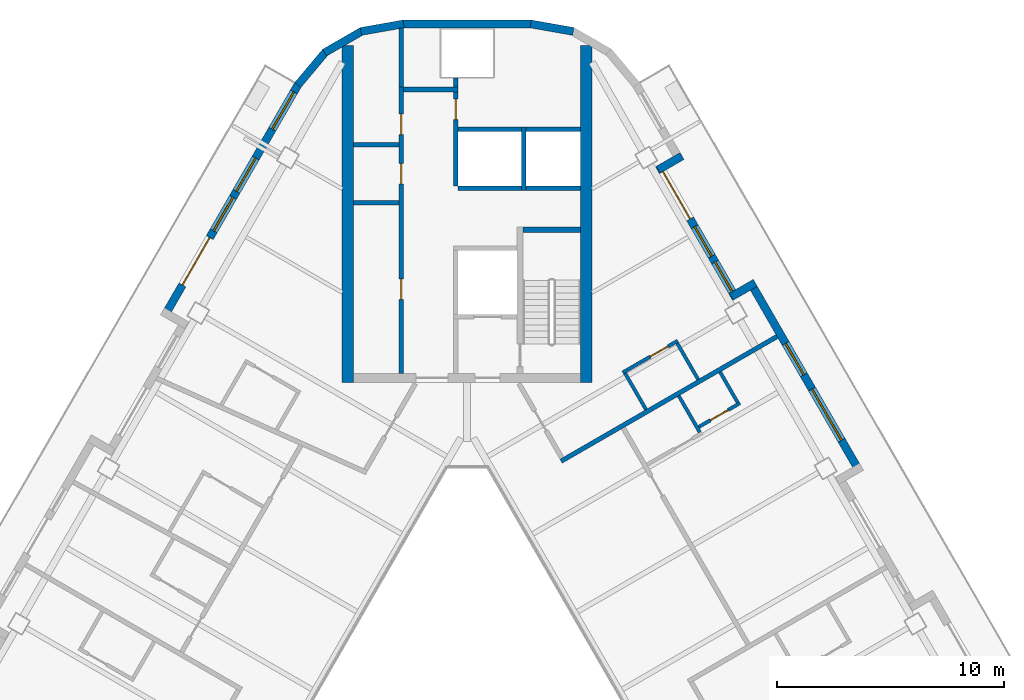
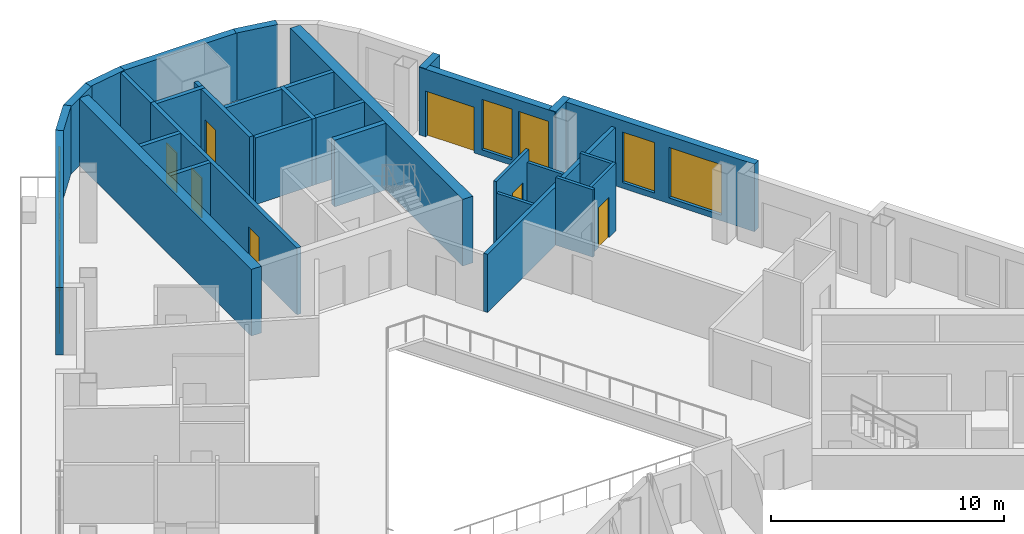
# One storey, part 7 of 14: 32 walls, 8 doors, 7 windows, 15 openings.
"""IFC4 building model written with IfcOpenShell, lengths in metres."""

from ifc_helpers import new_model, si_unit, direction, frame, frame_2d, origin, place, context, subcontext, project, spatial, rectangle, extrude, material, layer, layer_set, type_object, element, fill, save


model = new_model("IFC4")

# Units and contexts
model_context = context("Model", 3, precision=1e-05, world=origin(), true_north=direction((0.0, 1.0)))
body_context = subcontext(model_context, "Body", "Model", "MODEL_VIEW")
ifc_project = project(units=[si_unit("LENGTHUNIT", "METRE"), si_unit("AREAUNIT", "SQUARE_METRE"), si_unit("VOLUMEUNIT", "CUBIC_METRE"), si_unit("PLANEANGLEUNIT", "RADIAN"), si_unit("MASSUNIT", "GRAM", prefix="KILO")], contexts=[model_context])

# Site, building, storey
site_placement = place(None, origin())
site = spatial("IfcSite", under=ifc_project, at=site_placement, CompositionType="ELEMENT")
building_placement = place(site_placement, origin())
building = spatial("IfcBuilding", under=site, at=building_placement, Name="Apuvela Tower Hotel", CompositionType="ELEMENT")
storey_placement = place(building_placement, frame((0.0, 0.0, 220.60009765625)))
storey = spatial("IfcBuildingStorey", under=building, at=storey_placement, Name="L54", CompositionType="ELEMENT", Elevation=220.60009765625)

# Walls
ifc_material_1 = material(Name="Concrete C50/60", Category="concrete")
ifc_layer_1 = layer(ifc_material_1, 0.5)
ifc_layer_set_1 = layer_set([ifc_layer_1], Name="COR-WALL-CORE-500")
wall_type_1 = type_object("IfcWallType", Name="COR-WALL-CORE-500", PredefinedType="SHEAR", material=ifc_layer_set_1)
for number, where, z_axis, x_axis, name in (
    (1, (5.25, 12.89990234375, 0.0), (0.0, 0.0, 1.0), (0.0, 1.0, 0.0), "Core wall N"),
    (2, (-5.25, 12.89990234375, 0.0), (0.0, 0.0, 1.0), (0.0, 1.0, 0.0), "Core wall N"),
):
    element("IfcWall", number, at=place(storey_placement, frame(where, z_axis=z_axis, x_axis=x_axis)), inside=storey, type_object=wall_type_1, Name=name, PredefinedType="SHEAR", context=body_context, shape_type="SweptSolid", body=[
        extrude(rectangle(XDim=14.8369140625, YDim=0.5, at=frame_2d((7.41845703125, 0.0))), origin(), (0.0, 0.0, 1.0), 3.5),
    ])
ifc_material_2 = material(Name="Blockwork 200 mm plastered", Category="masonry")
ifc_layer_2 = layer(ifc_material_2, 0.199951171875)
ifc_layer_set_2 = layer_set([ifc_layer_2], Name="COR-WALL-PART-200")
wall_type_2 = type_object("IfcWallType", Name="COR-WALL-PART-200", PredefinedType="PARTITIONING", material=ifc_layer_set_2)
wall_1_placement = place(storey_placement, frame((5.0, 21.449951171875, 0.0), z_axis=(0.0, 0.0, 1.0), x_axis=(-1.0, 0.0, 0.0)))
element("IfcWall", 3, at=wall_1_placement, inside=storey, type_object=wall_type_2, Name="Partition N", PredefinedType="PARTITIONING", context=body_context, shape_type="SweptSolid", body=[
    extrude(rectangle(XDim=2.39990234375, YDim=0.199951171875, at=frame_2d((1.199951171875, 0.0))), origin(), (0.0, 0.0, 1.0), 3.5),
])
wall_2_placement = place(storey_placement, frame((2.39990234375, 21.449951171875, 0.0), z_axis=(0.0, 0.0, 1.0), x_axis=(-1.0, 0.0, 0.0)))
element("IfcWall", 4, at=wall_2_placement, inside=storey, type_object=wall_type_2, Name="Partition N", PredefinedType="PARTITIONING", context=body_context, shape_type="SweptSolid", body=[
    extrude(rectangle(XDim=2.7998046875, YDim=0.199951171875, at=frame_2d((1.39990234375, 0.0))), origin(), (0.0, 0.0, 1.0), 3.5),
])

# Wall, openings, doors
ifc_layer_3 = layer(ifc_material_1, 0.199951171875)
ifc_layer_set_3 = layer_set([ifc_layer_3], Name="COR-WALL-SHAFT-200")
wall_type_3 = type_object("IfcWallType", Name="COR-WALL-SHAFT-200", PredefinedType="SHEAR", material=ifc_layer_set_3)
wall_3_placement = place(storey_placement, frame((-2.89990234375, 13.300048828125, 0.0), z_axis=(0.0, 0.0, 1.0), x_axis=(0.0, 1.0, 0.0)))
wall_3 = element("IfcWall", 5, at=wall_3_placement, inside=storey, type_object=wall_type_3, Name="Shaft wall N", PredefinedType="SHEAR", context=body_context, shape_type="SweptSolid", body=[
    extrude(rectangle(XDim=12.599853515625, YDim=0.199951171875, at=frame_2d((6.2998046875, 0.0))), origin(), (0.0, 0.0, 1.0), 3.5),
])
opening_1_placement = place(wall_3_placement, frame((3.260009765625, 0.0, 0.0)))
opening_1 = element("IfcOpeningElement", 6, at=opening_1_placement, cuts=wall_3, Name="Opening N-RE1", PredefinedType="OPENING", context=body_context, shape_type="SweptSolid", body=[
    extrude(rectangle(XDim=0.89990234375, YDim=2.10009765625, at=frame_2d((0.449951171875, 1.050048828125))), frame((0.0, 0.10986328125, 0.0), z_axis=(0.0, -1.0, 0.0), x_axis=(1.0, 0.0, 0.0)), (0.0, 0.0, 1.0), 0.219970703125),
])
opening_2_placement = place(wall_3_placement, frame((8.340087890625, 0.0, 0.0)))
opening_2 = element("IfcOpeningElement", 7, at=opening_2_placement, cuts=wall_3, Name="Opening N-RE4", PredefinedType="OPENING", context=body_context, shape_type="SweptSolid", body=[
    extrude(rectangle(XDim=0.89990234375, YDim=2.10009765625, at=frame_2d((0.449951171875, 1.050048828125))), frame((0.0, 0.10986328125, 0.0), z_axis=(0.0, -1.0, 0.0), x_axis=(1.0, 0.0, 0.0)), (0.0, 0.0, 1.0), 0.219970703125),
])
opening_3_placement = place(wall_3_placement, frame((10.510009765625, 0.0, 0.0)))
opening_3 = element("IfcOpeningElement", 8, at=opening_3_placement, cuts=wall_3, Name="Opening N-REP", PredefinedType="OPENING", context=body_context, shape_type="SweptSolid", body=[
    extrude(rectangle(XDim=0.89990234375, YDim=2.10009765625, at=frame_2d((0.449951171875, 1.050048828125))), frame((0.0, 0.10986328125, 0.0), z_axis=(0.0, -1.0, 0.0), x_axis=(1.0, 0.0, 0.0)), (0.0, 0.0, 1.0), 0.219970703125),
])
ifc_material_3 = material(Name="Steel fire door, powder coated", Category="steel")
door_type_1 = type_object("IfcDoorType", Name="COR-DR-900", OperationType="NOTDEFINED", PredefinedType="DOOR", material=ifc_material_3)
door_1_placement = place(opening_1_placement, origin())
door_1 = element("IfcDoor", 9, at=door_1_placement, inside=storey, type_object=door_type_1, Name="Store door N-RE1", OperationType="SINGLE_SWING_LEFT", OverallHeight=2.10009765625, OverallWidth=0.89990234375, PredefinedType="DOOR", context=body_context, shape_type="SweptSolid", body=[
    extrude(rectangle(XDim=0.89990234375, YDim=2.10009765625, at=frame_2d((0.449951171875, 1.050048828125))), frame((0.0, 0.02490234375, 0.0), z_axis=(0.0, -1.0, 0.0), x_axis=(1.0, 0.0, 0.0)), (0.0, 0.0, 1.0), 0.050048828125),
])
fill(opening_1, door_1)
door_2_placement = place(opening_2_placement, origin())
door_2 = element("IfcDoor", 10, at=door_2_placement, inside=storey, type_object=door_type_1, Name="Store door N-RE4", OperationType="SINGLE_SWING_LEFT", OverallHeight=2.10009765625, OverallWidth=0.89990234375, PredefinedType="DOOR", context=body_context, shape_type="SweptSolid", body=[
    extrude(rectangle(XDim=0.89990234375, YDim=2.10009765625, at=frame_2d((0.449951171875, 1.050048828125))), frame((0.0, 0.02490234375, 0.0), z_axis=(0.0, -1.0, 0.0), x_axis=(1.0, 0.0, 0.0)), (0.0, 0.0, 1.0), 0.050048828125),
])
fill(opening_2, door_2)
door_3_placement = place(opening_3_placement, origin())
door_3 = element("IfcDoor", 11, at=door_3_placement, inside=storey, type_object=door_type_1, Name="Store door N-REP", OperationType="SINGLE_SWING_RIGHT", OverallHeight=2.10009765625, OverallWidth=0.89990234375, PredefinedType="DOOR", context=body_context, shape_type="SweptSolid", body=[
    extrude(rectangle(XDim=0.89990234375, YDim=2.10009765625, at=frame_2d((0.449951171875, 1.050048828125))), frame((0.0, 0.02490234375, 0.0), z_axis=(0.0, -1.0, 0.0), x_axis=(1.0, 0.0, 0.0)), (0.0, 0.0, 1.0), 0.050048828125),
])
fill(opening_3, door_3)

# Wall
wall_4_placement = place(storey_placement, frame((-0.39990234375, 25.800048828125, 0.0), z_axis=(0.0, 0.0, 1.0), x_axis=(-1.0, 0.0, 0.0)))
element("IfcWall", 12, at=wall_4_placement, inside=storey, type_object=wall_type_3, Name="Shaft wall N", PredefinedType="SHEAR", context=body_context, shape_type="SweptSolid", body=[
    extrude(rectangle(XDim=2.400146484375, YDim=0.199951171875, at=frame_2d((1.2001953125, 0.0))), origin(), (0.0, 0.0, 1.0), 3.5),
])

# Wall, opening, door
wall_5_placement = place(storey_placement, frame((-0.5, 21.550048828125, 0.0), z_axis=(0.0, 0.0, 1.0), x_axis=(0.0, 1.0, 0.0)))
wall_5 = element("IfcWall", 13, at=wall_5_placement, inside=storey, type_object=wall_type_3, Name="Shaft wall N", PredefinedType="SHEAR", context=body_context, shape_type="SweptSolid", body=[
    extrude(rectangle(XDim=4.14990234375, YDim=0.199951171875, at=frame_2d((2.074951171875, 0.0))), origin(), (0.0, 0.0, 1.0), 3.5),
])
opening_4_placement = place(wall_5_placement, frame((2.925048828125, 0.0, 0.0)))
opening_4 = element("IfcOpeningElement", 14, at=opening_4_placement, cuts=wall_5, Name="Opening N-RSP", PredefinedType="OPENING", context=body_context, shape_type="SweptSolid", body=[
    extrude(rectangle(XDim=0.89990234375, YDim=2.10009765625, at=frame_2d((0.449951171875, 1.050048828125))), frame((0.0, 0.10986328125, 0.0), z_axis=(0.0, -1.0, 0.0), x_axis=(1.0, 0.0, 0.0)), (0.0, 0.0, 1.0), 0.219970703125),
])
door_4_placement = place(opening_4_placement, frame((0.89990234375, 0.0, 0.0), z_axis=(0.0, 0.0, 1.0), x_axis=(-1.0, 0.0, 0.0)))
door_4 = element("IfcDoor", 15, at=door_4_placement, inside=storey, type_object=door_type_1, Name="Store door N-RSP", OperationType="SINGLE_SWING_LEFT", OverallHeight=2.10009765625, OverallWidth=0.89990234375, PredefinedType="DOOR", context=body_context, shape_type="SweptSolid", body=[
    extrude(rectangle(XDim=0.89990234375, YDim=2.10009765625, at=frame_2d((0.449951171875, 1.050048828125))), frame((0.0, 0.02490234375, 0.0), z_axis=(0.0, -1.0, 0.0), x_axis=(1.0, 0.0, 0.0)), (0.0, 0.0, 1.0), 0.050048828125),
])
fill(opening_4, door_4)

# Walls
for number, where, z_axis, x_axis, name in (
    (16, (-3.0, 20.820068359375, 0.0), (0.0, 0.0, 1.0), (-1.0, 0.0, 0.0), "Shaft wall N"),
    (17, (-3.0, 23.360107421875, 0.0), (0.0, 0.0, 1.0), (-1.0, 0.0, 0.0), "Shaft wall N"),
):
    element("IfcWall", number, at=place(storey_placement, frame(where, z_axis=z_axis, x_axis=x_axis)), inside=storey, type_object=wall_type_3, Name=name, PredefinedType="SHEAR", context=body_context, shape_type="SweptSolid", body=[
        extrude(rectangle(XDim=2.0, YDim=0.199951171875, at=frame_2d((1.0, 0.0))), origin(), (0.0, 0.0, 1.0), 3.5),
    ])
wall_6_placement = place(storey_placement, frame((-0.5, 25.89990234375, 0.0), z_axis=(0.0, 0.0, 1.0), x_axis=(0.0, 1.0, 0.0)))
element("IfcWall", 18, at=wall_6_placement, inside=storey, type_object=wall_type_3, Name="Shaft wall N", PredefinedType="SHEAR", context=body_context, shape_type="SweptSolid", body=[
    extrude(rectangle(XDim=0.400146484375, YDim=0.199951171875, at=frame_2d((0.2001953125, 0.0))), origin(), (0.0, 0.0, 1.0), 3.5),
])
wall_7_placement = place(storey_placement, frame((-2.89990234375, 25.89990234375, 0.0), z_axis=(0.0, 0.0, 1.0), x_axis=(0.0, 1.0, 0.0)))
element("IfcWall", 19, at=wall_7_placement, inside=storey, type_object=wall_type_3, Name="Shaft wall N", PredefinedType="SHEAR", context=body_context, shape_type="SweptSolid", body=[
    extrude(rectangle(XDim=2.60009765625, YDim=0.199951171875, at=frame_2d((1.300048828125, 0.0))), origin(), (0.0, 0.0, 1.0), 3.5),
])
wall_8_placement = place(storey_placement, frame((2.5, 21.35009765625, 0.0), z_axis=(0.0, 0.0, 1.0), x_axis=(0.0, 1.0, 0.0)))
element("IfcWall", 20, at=wall_8_placement, inside=storey, type_object=wall_type_3, Name="Shaft wall N", PredefinedType="SHEAR", context=body_context, shape_type="SweptSolid", body=[
    extrude(rectangle(XDim=2.7998046875, YDim=0.199951171875, at=frame_2d((1.39990234375, 0.0))), origin(), (0.0, 0.0, 1.0), 3.5),
])
wall_9_placement = place(storey_placement, frame((5.0, 24.050048828125, 0.0), z_axis=(0.0, 0.0, 1.0), x_axis=(-1.0, 0.0, 0.0)))
element("IfcWall", 21, at=wall_9_placement, inside=storey, type_object=wall_type_3, Name="Shaft wall N", PredefinedType="SHEAR", context=body_context, shape_type="SweptSolid", body=[
    extrude(rectangle(XDim=2.39990234375, YDim=0.199951171875, at=frame_2d((1.199951171875, 0.0))), origin(), (0.0, 0.0, 1.0), 3.5),
])
wall_10_placement = place(storey_placement, frame((2.39990234375, 24.050048828125, 0.0), z_axis=(0.0, 0.0, 1.0), x_axis=(-1.0, 0.0, 0.0)))
element("IfcWall", 22, at=wall_10_placement, inside=storey, type_object=wall_type_3, Name="Shaft wall N", PredefinedType="SHEAR", context=body_context, shape_type="SweptSolid", body=[
    extrude(rectangle(XDim=2.7998046875, YDim=0.199951171875, at=frame_2d((1.39990234375, 0.0))), origin(), (0.0, 0.0, 1.0), 3.5),
])
ifc_layer_4 = layer(ifc_material_1, 0.25)
ifc_layer_set_4 = layer_set([ifc_layer_4], Name="COR-WALL-STAIR-250")
wall_type_4 = type_object("IfcWallType", Name="COR-WALL-STAIR-250", PredefinedType="SHEAR", material=ifc_layer_set_4)
wall_11_placement = place(storey_placement, frame((5.0, 19.625, 0.0), z_axis=(0.0, 0.0, 1.0), x_axis=(-1.0, 0.0, 0.0)))
element("IfcWall", 23, at=wall_11_placement, inside=storey, type_object=wall_type_4, Name="Stair wall N", PredefinedType="SHEAR", context=body_context, shape_type="SweptSolid", body=[
    extrude(rectangle(XDim=2.550048828125, YDim=0.25, at=frame_2d((1.27490234375, 0.0))), origin(), (0.0, 0.0, 1.0), 3.5),
])

# Wall, openings, door, windows
ifc_material_4 = material(Name="Concrete C40/50, dark pigmented precast panel", Category="concrete")
ifc_layer_5 = layer(ifc_material_4, 0.35009765625)
ifc_layer_set_5 = layer_set([ifc_layer_5], Name="ENV-WALL-350")
wall_type_5 = type_object("IfcWallType", Name="ENV-WALL-350", PredefinedType="SOLIDWALL", material=ifc_layer_set_5)
wall_12_placement = place(storey_placement, frame((-7.440673828125, 26.0224609375, 0.0), z_axis=(0.0, 0.0, 1.0), x_axis=(-0.499992533062, -0.86602971478, 0.0)))
wall_12 = element("IfcWall", 24, at=wall_12_placement, inside=storey, type_object=wall_type_5, Name="External wall L54-01", PredefinedType="SOLIDWALL", context=body_context, shape_type="SweptSolid", body=[
    extrude(rectangle(XDim=11.815673828125, YDim=0.35009765625, at=frame_2d((5.90771484375, 0.0))), origin(), (0.0, 0.0, 1.0), 3.5498046875),
])
opening_5_placement = place(wall_12_placement, frame((0.381103515625, 0.0, 0.300048828125)))
opening_5 = element("IfcOpeningElement", 25, at=opening_5_placement, cuts=wall_12, Name="Opening WN19", PredefinedType="OPENING", context=body_context, shape_type="SweptSolid", body=[
    extrude(rectangle(XDim=1.89990234375, YDim=2.64990234375, at=frame_2d((0.949951171875, 1.324951171875))), frame((0.0, 0.18505859375, 0.0), z_axis=(0.0, -1.0, 0.0), x_axis=(1.0, 0.0, 0.0)), (0.0, 0.0, 1.0), 0.3701171875),
])
opening_6_placement = place(wall_12_placement, frame((7.79052734375, 0.0, 0.0)))
opening_6 = element("IfcOpeningElement", 26, at=opening_6_placement, cuts=wall_12, Name="Opening BD24", PredefinedType="OPENING", context=body_context, shape_type="SweptSolid", body=[
    extrude(rectangle(XDim=2.39990234375, YDim=2.39990234375, at=frame_2d((1.199951171875, 1.199951171875))), frame((0.0, 0.18505859375, 0.0), z_axis=(0.0, -1.0, 0.0), x_axis=(1.0, 0.0, 0.0)), (0.0, 0.0, 1.0), 0.3701171875),
])
opening_7_placement = place(wall_12_placement, frame((3.7412109375, 0.0, 0.300048828125)))
opening_7 = element("IfcOpeningElement", 27, at=opening_7_placement, cuts=wall_12, Name="Opening WN17", PredefinedType="OPENING", context=body_context, shape_type="SweptSolid", body=[
    extrude(rectangle(XDim=1.699951171875, YDim=2.64990234375, at=frame_2d((0.85009765625, 1.324951171875))), frame((0.0, 0.18505859375, 0.0), z_axis=(0.0, -1.0, 0.0), x_axis=(1.0, 0.0, 0.0)), (0.0, 0.0, 1.0), 0.3701171875),
])
opening_8_placement = place(wall_12_placement, frame((5.7412109375, 0.0, 0.300048828125)))
opening_8 = element("IfcOpeningElement", 28, at=opening_8_placement, cuts=wall_12, Name="Opening WN17", PredefinedType="OPENING", context=body_context, shape_type="SweptSolid", body=[
    extrude(rectangle(XDim=1.699951171875, YDim=2.64990234375, at=frame_2d((0.85009765625, 1.324951171875))), frame((0.0, 0.18505859375, 0.0), z_axis=(0.0, -1.0, 0.0), x_axis=(1.0, 0.0, 0.0)), (0.0, 0.0, 1.0), 0.3701171875),
])
ifc_material_5 = material(Name="Aluminium 6063-T6, dark bronze anodised frame with dark tinted laminated glass", Category="aluminium")
door_type_2 = type_object("IfcDoorType", Name="ENV-DOOR-BALCONY-2400x2400", OperationType="SLIDING_TO_LEFT", PredefinedType="DOOR", material=ifc_material_5)
door_5_placement = place(opening_6_placement, frame((2.39990234375, 0.0, 0.0), z_axis=(0.0, 0.0, 1.0), x_axis=(-1.0, 0.0, 0.0)))
door_5 = element("IfcDoor", 29, at=door_5_placement, inside=storey, type_object=door_type_2, Name="Balcony door BD24", OperationType="SLIDING_TO_LEFT", OverallHeight=2.39990234375, OverallWidth=2.39990234375, PredefinedType="DOOR", context=body_context, shape_type="SweptSolid", body=[
    extrude(rectangle(XDim=2.39990234375, YDim=2.39990234375, at=frame_2d((1.199951171875, 1.199951171875))), frame((0.0, 0.02490234375, 0.0), z_axis=(0.0, -1.0, 0.0), x_axis=(1.0, 0.0, 0.0)), (0.0, 0.0, 1.0), 0.050048828125),
])
fill(opening_6, door_5)
ifc_material_6 = material(Name="Glass, dark tinted laminated insulated glazing unit", Category="glass")
window_type_1 = type_object("IfcWindowType", Name="ENV-WIN-1700x2650", PartitioningType="SINGLE_PANEL", PredefinedType="WINDOW", material=ifc_material_6)
window_1_placement = place(opening_7_placement, origin())
window_1 = element("IfcWindow", 30, at=window_1_placement, inside=storey, type_object=window_type_1, Name="Window WN17", OverallHeight=2.64990234375, OverallWidth=1.699951171875, PartitioningType="SINGLE_PANEL", PredefinedType="WINDOW", context=body_context, shape_type="SweptSolid", body=[
    extrude(rectangle(XDim=1.699951171875, YDim=2.64990234375, at=frame_2d((0.85009765625, 1.324951171875))), frame((0.0, 0.030029296875, 0.0), z_axis=(0.0, -1.0, 0.0), x_axis=(1.0, 0.0, 0.0)), (0.0, 0.0, 1.0), 0.06005859375),
])
fill(opening_7, window_1)
window_2_placement = place(opening_8_placement, origin())
window_2 = element("IfcWindow", 31, at=window_2_placement, inside=storey, type_object=window_type_1, Name="Window WN17", OverallHeight=2.64990234375, OverallWidth=1.699951171875, PartitioningType="SINGLE_PANEL", PredefinedType="WINDOW", context=body_context, shape_type="SweptSolid", body=[
    extrude(rectangle(XDim=1.699951171875, YDim=2.64990234375, at=frame_2d((0.85009765625, 1.324951171875))), frame((0.0, 0.030029296875, 0.0), z_axis=(0.0, -1.0, 0.0), x_axis=(1.0, 0.0, 0.0)), (0.0, 0.0, 1.0), 0.06005859375),
])
fill(opening_8, window_2)
window_type_2 = type_object("IfcWindowType", Name="ENV-WIN-1900x2650", PartitioningType="SINGLE_PANEL", PredefinedType="WINDOW", material=ifc_material_6)
window_3_placement = place(opening_5_placement, origin())
window_3 = element("IfcWindow", 32, at=window_3_placement, inside=storey, type_object=window_type_2, Name="Window WN19", OverallHeight=2.64990234375, OverallWidth=1.89990234375, PartitioningType="SINGLE_PANEL", PredefinedType="WINDOW", context=body_context, shape_type="SweptSolid", body=[
    extrude(rectangle(XDim=1.89990234375, YDim=2.64990234375, at=frame_2d((0.949951171875, 1.324951171875))), frame((0.0, 0.030029296875, 0.0), z_axis=(0.0, -1.0, 0.0), x_axis=(1.0, 0.0, 0.0)), (0.0, 0.0, 1.0), 0.06005859375),
])
fill(opening_5, window_3)

# Wall, openings, windows
wall_13_placement = place(storey_placement, frame((17.298583984375, 8.947998046875, 0.0), z_axis=(0.0, 0.0, 1.0), x_axis=(-0.500010041276, 0.866019606374, 0.0)))
wall_13 = element("IfcWall", 33, at=wall_13_placement, inside=storey, type_object=wall_type_5, Name="External wall L54-37", PredefinedType="SOLIDWALL", context=body_context, shape_type="SweptSolid", body=[
    extrude(rectangle(XDim=9.699951171875, YDim=0.35009765625, at=frame_2d((4.85009765625, 0.0))), origin(), (0.0, 0.0, 1.0), 3.5498046875),
])
opening_9_placement = place(wall_13_placement, frame((1.625, 0.0, 0.300048828125)))
opening_9 = element("IfcOpeningElement", 34, at=opening_9_placement, cuts=wall_13, Name="Opening WN26", PredefinedType="OPENING", context=body_context, shape_type="SweptSolid", body=[
    extrude(rectangle(XDim=2.60009765625, YDim=2.64990234375, at=frame_2d((1.300048828125, 1.324951171875))), frame((0.0, 0.18505859375, 0.0), z_axis=(0.0, -1.0, 0.0), x_axis=(1.0, 0.0, 0.0)), (0.0, 0.0, 1.0), 0.3701171875),
])
opening_10_placement = place(wall_13_placement, frame((4.94921875, 0.0, 0.300048828125)))
opening_10 = element("IfcOpeningElement", 35, at=opening_10_placement, cuts=wall_13, Name="Opening WN16", PredefinedType="OPENING", context=body_context, shape_type="SweptSolid", body=[
    extrude(rectangle(XDim=1.60009765625, YDim=2.64990234375, at=frame_2d((0.800048828125, 1.324951171875))), frame((0.0, 0.18505859375, 0.0), z_axis=(0.0, -1.0, 0.0), x_axis=(1.0, 0.0, 0.0)), (0.0, 0.0, 1.0), 0.3701171875),
])
window_type_3 = type_object("IfcWindowType", Name="ENV-WIN-1600x2650", PartitioningType="SINGLE_PANEL", PredefinedType="WINDOW", material=ifc_material_6)
window_4_placement = place(opening_10_placement, origin())
window_4 = element("IfcWindow", 36, at=window_4_placement, inside=storey, type_object=window_type_3, Name="Window WN16", OverallHeight=2.64990234375, OverallWidth=1.60009765625, PartitioningType="SINGLE_PANEL", PredefinedType="WINDOW", context=body_context, shape_type="SweptSolid", body=[
    extrude(rectangle(XDim=1.60009765625, YDim=2.64990234375, at=frame_2d((0.800048828125, 1.324951171875))), frame((0.0, 0.030029296875, 0.0), z_axis=(0.0, -1.0, 0.0), x_axis=(1.0, 0.0, 0.0)), (0.0, 0.0, 1.0), 0.06005859375),
])
fill(opening_10, window_4)
window_type_4 = type_object("IfcWindowType", Name="ENV-WIN-2600x2650", PartitioningType="SINGLE_PANEL", PredefinedType="WINDOW", material=ifc_material_6)
window_5_placement = place(opening_9_placement, origin())
window_5 = element("IfcWindow", 37, at=window_5_placement, inside=storey, type_object=window_type_4, Name="Window WN26", OverallHeight=2.64990234375, OverallWidth=2.60009765625, PartitioningType="SINGLE_PANEL", PredefinedType="WINDOW", context=body_context, shape_type="SweptSolid", body=[
    extrude(rectangle(XDim=2.60009765625, YDim=2.64990234375, at=frame_2d((1.300048828125, 1.324951171875))), frame((0.0, 0.030029296875, 0.0), z_axis=(0.0, -1.0, 0.0), x_axis=(1.0, 0.0, 0.0)), (0.0, 0.0, 1.0), 0.06005859375),
])
fill(opening_9, window_5)

# Wall
wall_14_placement = place(storey_placement, frame((12.6875, 17.284423828125, 0.0), z_axis=(0.0, 0.0, 1.0), x_axis=(-0.865955602162, -0.500120880472, 0.0)))
element("IfcWall", 38, at=wall_14_placement, inside=storey, type_object=wall_type_5, Name="External wall L54-38", PredefinedType="SOLIDWALL", context=body_context, shape_type="SweptSolid", body=[
    extrude(rectangle(XDim=1.219970703125, YDim=0.35009765625, at=frame_2d((0.60986328125, 0.0))), origin(), (0.0, 0.0, 1.0), 3.5498046875),
])

# Wall, openings, door, windows
wall_15_placement = place(storey_placement, frame((11.8291015625, 16.621337890625, 0.0), z_axis=(0.0, 0.0, 1.0), x_axis=(-0.500003597184, 0.866023326939, 0.0)))
wall_15 = element("IfcWall", 39, at=wall_15_placement, inside=storey, type_object=wall_type_5, Name="External wall L54-39", PredefinedType="SOLIDWALL", context=body_context, shape_type="SweptSolid", body=[
    extrude(rectangle(XDim=6.740234375, YDim=0.35009765625, at=frame_2d((3.3701171875, 0.0))), origin(), (0.0, 0.0, 1.0), 3.5498046875),
])
opening_11_placement = place(wall_15_placement, frame((4.01953125, 0.0, 0.0)))
opening_11 = element("IfcOpeningElement", 40, at=opening_11_placement, cuts=wall_15, Name="Opening BD24", PredefinedType="OPENING", context=body_context, shape_type="SweptSolid", body=[
    extrude(rectangle(XDim=2.39990234375, YDim=2.39990234375, at=frame_2d((1.199951171875, 1.199951171875))), frame((0.0, 0.18505859375, 0.0), z_axis=(0.0, -1.0, 0.0), x_axis=(1.0, 0.0, 0.0)), (0.0, 0.0, 1.0), 0.3701171875),
])
opening_12_placement = place(wall_15_placement, frame((0.320068359375, 0.0, 0.300048828125)))
opening_12 = element("IfcOpeningElement", 41, at=opening_12_placement, cuts=wall_15, Name="Opening WN15", PredefinedType="OPENING", context=body_context, shape_type="SweptSolid", body=[
    extrude(rectangle(XDim=1.5, YDim=2.64990234375, at=frame_2d((0.75, 1.324951171875))), frame((0.0, 0.18505859375, 0.0), z_axis=(0.0, -1.0, 0.0), x_axis=(1.0, 0.0, 0.0)), (0.0, 0.0, 1.0), 0.3701171875),
])
opening_13_placement = place(wall_15_placement, frame((2.1201171875, 0.0, 0.300048828125)))
opening_13 = element("IfcOpeningElement", 42, at=opening_13_placement, cuts=wall_15, Name="Opening WN15", PredefinedType="OPENING", context=body_context, shape_type="SweptSolid", body=[
    extrude(rectangle(XDim=1.5, YDim=2.64990234375, at=frame_2d((0.75, 1.324951171875))), frame((0.0, 0.18505859375, 0.0), z_axis=(0.0, -1.0, 0.0), x_axis=(1.0, 0.0, 0.0)), (0.0, 0.0, 1.0), 0.3701171875),
])
door_6_placement = place(opening_11_placement, frame((2.39990234375, 0.0, 0.0), z_axis=(0.0, 0.0, 1.0), x_axis=(-1.0, 0.0, 0.0)))
door_6 = element("IfcDoor", 43, at=door_6_placement, inside=storey, type_object=door_type_2, Name="Balcony door BD24", OperationType="SLIDING_TO_LEFT", OverallHeight=2.39990234375, OverallWidth=2.39990234375, PredefinedType="DOOR", context=body_context, shape_type="SweptSolid", body=[
    extrude(rectangle(XDim=2.39990234375, YDim=2.39990234375, at=frame_2d((1.199951171875, 1.199951171875))), frame((0.0, 0.02490234375, 0.0), z_axis=(0.0, -1.0, 0.0), x_axis=(1.0, 0.0, 0.0)), (0.0, 0.0, 1.0), 0.050048828125),
])
fill(opening_11, door_6)
window_type_5 = type_object("IfcWindowType", Name="ENV-WIN-1500x2650", PartitioningType="SINGLE_PANEL", PredefinedType="WINDOW", material=ifc_material_6)
window_6_placement = place(opening_12_placement, origin())
window_6 = element("IfcWindow", 44, at=window_6_placement, inside=storey, type_object=window_type_5, Name="Window WN15", OverallHeight=2.64990234375, OverallWidth=1.5, PartitioningType="SINGLE_PANEL", PredefinedType="WINDOW", context=body_context, shape_type="SweptSolid", body=[
    extrude(rectangle(XDim=1.5, YDim=2.64990234375, at=frame_2d((0.75, 1.324951171875))), frame((0.0, 0.030029296875, 0.0), z_axis=(0.0, -1.0, 0.0), x_axis=(1.0, 0.0, 0.0)), (0.0, 0.0, 1.0), 0.06005859375),
])
fill(opening_12, window_6)
window_7_placement = place(opening_13_placement, origin())
window_7 = element("IfcWindow", 45, at=window_7_placement, inside=storey, type_object=window_type_5, Name="Window WN15", OverallHeight=2.64990234375, OverallWidth=1.5, PartitioningType="SINGLE_PANEL", PredefinedType="WINDOW", context=body_context, shape_type="SweptSolid", body=[
    extrude(rectangle(XDim=1.5, YDim=2.64990234375, at=frame_2d((0.75, 1.324951171875))), frame((0.0, 0.030029296875, 0.0), z_axis=(0.0, -1.0, 0.0), x_axis=(1.0, 0.0, 0.0)), (0.0, 0.0, 1.0), 0.06005859375),
])
fill(opening_13, window_7)

# Walls
wall_16_placement = place(storey_placement, frame((8.406005859375, 22.26025390625, 0.0), z_axis=(0.0, 0.0, 1.0), x_axis=(0.865955602162, 0.500120880472, 0.0)))
element("IfcWall", 46, at=wall_16_placement, inside=storey, type_object=wall_type_5, Name="External wall L54-40", PredefinedType="SOLIDWALL", context=body_context, shape_type="SweptSolid", body=[
    extrude(rectangle(XDim=1.219970703125, YDim=0.35009765625, at=frame_2d((0.60986328125, 0.0))), origin(), (0.0, 0.0, 1.0), 3.5498046875),
])
wall_17_placement = place(storey_placement, frame((4.6796875, 28.35595703125, 0.0), z_axis=(0.0, 0.0, 1.0), x_axis=(-0.984798995425, 0.173697837091, 0.0)))
element("IfcWall", 47, at=wall_17_placement, inside=storey, type_object=wall_type_5, Name="External wall L54-44", PredefinedType="SOLIDWALL", context=body_context, shape_type="SweptSolid", body=[
    extrude(rectangle(XDim=1.91015625, YDim=0.35009765625, at=frame_2d((0.955078125, 0.0))), origin(), (0.0, 0.0, 1.0), 3.5498046875),
])
wall_18_placement = place(storey_placement, frame((2.8291015625, 28.68505859375, 0.0), z_axis=(0.0, 0.0, 1.0), x_axis=(-1.0, 0.0, 0.0)))
element("IfcWall", 48, at=wall_18_placement, inside=storey, type_object=wall_type_5, Name="External wall L54-45", PredefinedType="SOLIDWALL", context=body_context, shape_type="SweptSolid", body=[
    extrude(rectangle(XDim=5.658203125, YDim=0.35009765625, at=frame_2d((2.8291015625, 0.0))), origin(), (0.0, 0.0, 1.0), 3.5498046875),
])
for number, where, z_axis, x_axis, name in (
    (49, (-2.798583984375, 28.687744140625, 0.0), (0.0, 0.0, 1.0), (-0.984798995425, -0.173697837091, 0.0), "External wall L54-46"),
    (50, (-4.62255859375, 28.376708984375, 0.0), (0.0, 0.0, 1.0), (-0.866032345022, -0.499987977232, 0.0), "External wall L54-47"),
):
    element("IfcWall", number, at=place(storey_placement, frame(where, z_axis=z_axis, x_axis=x_axis)), inside=storey, type_object=wall_type_5, Name=name, PredefinedType="SOLIDWALL", context=body_context, shape_type="SweptSolid", body=[
        extrude(rectangle(XDim=1.91015625, YDim=0.35009765625, at=frame_2d((0.955078125, 0.0))), origin(), (0.0, 0.0, 1.0), 3.5498046875),
    ])
wall_19_placement = place(storey_placement, frame((-6.230224609375, 27.460693359375, 0.0), z_axis=(0.0, 0.0, 1.0), x_axis=(-0.642808304945, -0.766027077259, 0.0)))
element("IfcWall", 51, at=wall_19_placement, inside=storey, type_object=wall_type_5, Name="External wall L54-48", PredefinedType="SOLIDWALL", context=body_context, shape_type="SweptSolid", body=[
    extrude(rectangle(XDim=1.909912109375, YDim=0.35009765625, at=frame_2d((0.955078125, 0.0))), origin(), (0.0, 0.0, 1.0), 3.5498046875),
])
ifc_material_7 = material(Name="Gypsum board partition on twin steel stud", Category="steel")
ifc_layer_6 = layer(ifc_material_7, 0.199951171875)
ifc_layer_set_6 = layer_set([ifc_layer_6], Name="GST-PW1")
wall_type_6 = type_object("IfcWallType", Name="GST-PW1", PredefinedType="PARTITIONING", material=ifc_layer_set_6)
wall_20_placement = place(storey_placement, frame((13.64697265625, 14.9228515625, 0.0), z_axis=(0.0, 0.0, 1.0), x_axis=(-0.866027479907, -0.499996404033, 0.0)))
element("IfcWall", 52, at=wall_20_placement, inside=storey, type_object=wall_type_6, Name="L54 partition 06", PredefinedType="PARTITIONING", context=body_context, shape_type="SweptSolid", body=[
    extrude(rectangle(XDim=10.97998046875, YDim=0.199951171875, at=frame_2d((5.489990234375, 0.0))), origin(), (0.0, 0.0, 1.0), 3.059814453125),
])
ifc_material_8 = material(Name="Moisture-resistant gypsum board wet wall on steel stud", Category="steel")
ifc_layer_7 = layer(ifc_material_8, 0.14990234375)
ifc_layer_set_7 = layer_set([ifc_layer_7], Name="GST-PW3")
wall_type_7 = type_object("IfcWallType", Name="GST-PW3", PredefinedType="PARTITIONING", material=ifc_layer_set_7)
wall_21_placement = place(storey_placement, frame((10.244140625, 10.70654296875, 0.0), z_axis=(0.0, 0.0, 1.0), x_axis=(-0.500042316284, 0.866000971088, 0.0)))
element("IfcWall", 53, at=wall_21_placement, inside=storey, type_object=wall_type_7, Name="L54 partition 33", PredefinedType="PARTITIONING", context=body_context, shape_type="SweptSolid", body=[
    extrude(rectangle(XDim=1.849853515625, YDim=0.14990234375, at=frame_2d((0.9248046875, 0.0))), origin(), (0.0, 0.0, 1.0), 3.5498046875),
])

# Wall, opening, door
wall_22_placement = place(storey_placement, frame((10.19677734375, 10.93896484375, 0.0), z_axis=(0.0, 0.0, 1.0), x_axis=(0.866009402589, 0.500027713859, 0.0)))
wall_22 = element("IfcWall", 54, at=wall_22_placement, inside=storey, type_object=wall_type_7, Name="L54 partition 34", PredefinedType="PARTITIONING", context=body_context, shape_type="SweptSolid", body=[
    extrude(rectangle(XDim=2.10009765625, YDim=0.14990234375, at=frame_2d((1.050048828125, 0.0))), origin(), (0.0, 0.0, 1.0), 3.5498046875),
])
opening_14_placement = place(wall_22_placement, frame((0.599853515625, 0.0, 0.0)))
opening_14 = element("IfcOpeningElement", 55, at=opening_14_placement, cuts=wall_22, Name="Opening GD21-14", PredefinedType="OPENING", context=body_context, shape_type="SweptSolid", body=[
    extrude(rectangle(XDim=0.89990234375, YDim=2.10009765625, at=frame_2d((0.449951171875, 1.050048828125))), frame((0.0, 0.0849609375, 0.0), z_axis=(0.0, -1.0, 0.0), x_axis=(1.0, 0.0, 0.0)), (0.0, 0.0, 1.0), 0.169921875),
])
ifc_material_9 = material(Name="Timber door leaf in steel frame", Category="steel")
door_type_3 = type_object("IfcDoorType", Name="GST-D2", OperationType="NOTDEFINED", PredefinedType="DOOR", material=ifc_material_9)
door_7_placement = place(opening_14_placement, origin())
door_7 = element("IfcDoor", 56, at=door_7_placement, inside=storey, type_object=door_type_3, Name="Door L54-14", OperationType="SINGLE_SWING_RIGHT", OverallHeight=2.10009765625, OverallWidth=0.89990234375, PredefinedType="DOOR", context=body_context, shape_type="SweptSolid", body=[
    extrude(rectangle(XDim=0.89990234375, YDim=2.10009765625, at=frame_2d((0.449951171875, 1.050048828125))), frame((0.0, 0.02490234375, 0.0), z_axis=(0.0, -1.0, 0.0), x_axis=(1.0, 0.0, 0.0)), (0.0, 0.0, 1.0), 0.050048828125),
])
fill(opening_14, door_7)

# Wall
wall_23_placement = place(storey_placement, frame((11.912841796875, 12.016357421875, 0.0), z_axis=(0.0, 0.0, 1.0), x_axis=(-0.499967891604, 0.866043940782, 0.0)))
element("IfcWall", 57, at=wall_23_placement, inside=storey, type_object=wall_type_7, Name="L54 partition 35", PredefinedType="PARTITIONING", context=body_context, shape_type="SweptSolid", body=[
    extrude(rectangle(XDim=1.5498046875, YDim=0.14990234375, at=frame_2d((0.77490234375, 0.0))), origin(), (0.0, 0.0, 1.0), 3.5498046875),
])

# Wall, opening, door
wall_24_placement = place(storey_placement, frame((9.2744140625, 14.736572265625, 0.0), z_axis=(0.0, 0.0, 1.0), x_axis=(-0.866018616679, -0.500011755427, 0.0)))
wall_24 = element("IfcWall", 58, at=wall_24_placement, inside=storey, type_object=wall_type_7, Name="L54 partition 37", PredefinedType="PARTITIONING", context=body_context, shape_type="SweptSolid", body=[
    extrude(rectangle(XDim=2.80029296875, YDim=0.14990234375, at=frame_2d((1.400146484375, 0.0))), origin(), (0.0, 0.0, 1.0), 3.5498046875),
])
opening_15_placement = place(wall_24_placement, frame((0.5, 0.0, 0.0)))
opening_15 = element("IfcOpeningElement", 59, at=opening_15_placement, cuts=wall_24, Name="Opening GD21-16", PredefinedType="OPENING", context=body_context, shape_type="SweptSolid", body=[
    extrude(rectangle(XDim=0.89990234375, YDim=2.10009765625, at=frame_2d((0.449951171875, 1.050048828125))), frame((0.0, 0.0849609375, 0.0), z_axis=(0.0, -1.0, 0.0), x_axis=(1.0, 0.0, 0.0)), (0.0, 0.0, 1.0), 0.169921875),
])
door_8_placement = place(opening_15_placement, origin())
door_8 = element("IfcDoor", 60, at=door_8_placement, inside=storey, type_object=door_type_3, Name="Door L54-16", OperationType="SINGLE_SWING_LEFT", OverallHeight=2.10009765625, OverallWidth=0.89990234375, PredefinedType="DOOR", context=body_context, shape_type="SweptSolid", body=[
    extrude(rectangle(XDim=0.89990234375, YDim=2.10009765625, at=frame_2d((0.449951171875, 1.050048828125))), frame((0.0, 0.02490234375, 0.0), z_axis=(0.0, -1.0, 0.0), x_axis=(1.0, 0.0, 0.0)), (0.0, 0.0, 1.0), 0.050048828125),
])
fill(opening_15, door_8)

# Walls
wall_25_placement = place(storey_placement, frame((10.171875, 13.031982421875, 0.0), z_axis=(0.0, 0.0, 1.0), x_axis=(-0.500042316284, 0.866000971088, 0.0)))
element("IfcWall", 61, at=wall_25_placement, inside=storey, type_object=wall_type_7, Name="L54 partition 38", PredefinedType="PARTITIONING", context=body_context, shape_type="SweptSolid", body=[
    extrude(rectangle(XDim=1.849853515625, YDim=0.14990234375, at=frame_2d((0.9248046875, 0.0))), origin(), (0.0, 0.0, 1.0), 2.949951171875),
])
wall_26_placement = place(storey_placement, frame((7.876953125, 11.706787109375, 0.0), z_axis=(0.0, 0.0, 1.0), x_axis=(-0.499985172903, 0.866033964044, 0.0)))
element("IfcWall", 62, at=wall_26_placement, inside=storey, type_object=wall_type_7, Name="L54 partition 39", PredefinedType="PARTITIONING", context=body_context, shape_type="SweptSolid", body=[
    extrude(rectangle(XDim=1.85009765625, YDim=0.14990234375, at=frame_2d((0.925048828125, 0.0))), origin(), (0.0, 0.0, 1.0), 2.949951171875),
])

save(model, "model.ifc")
